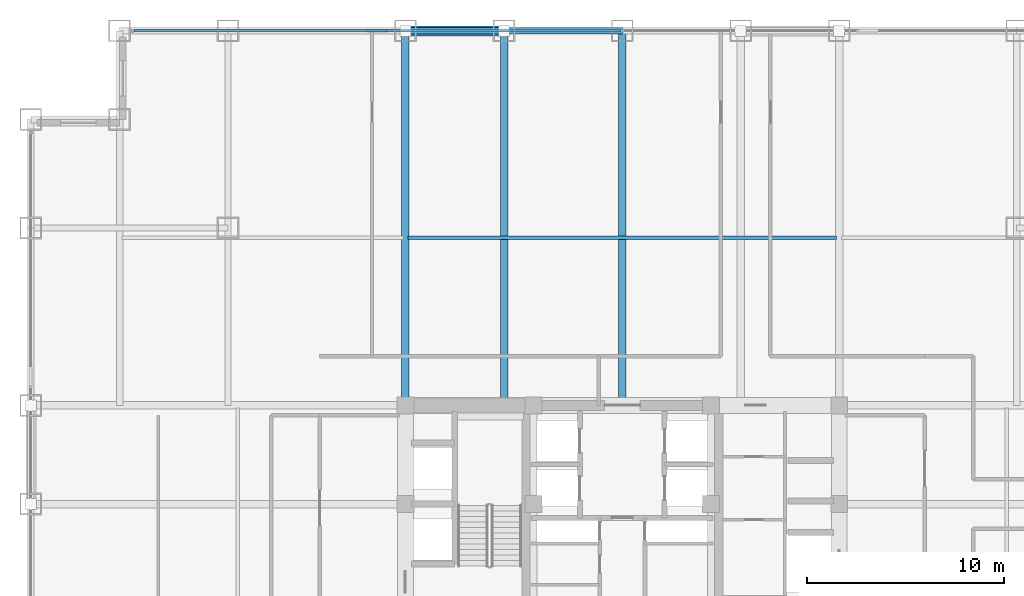
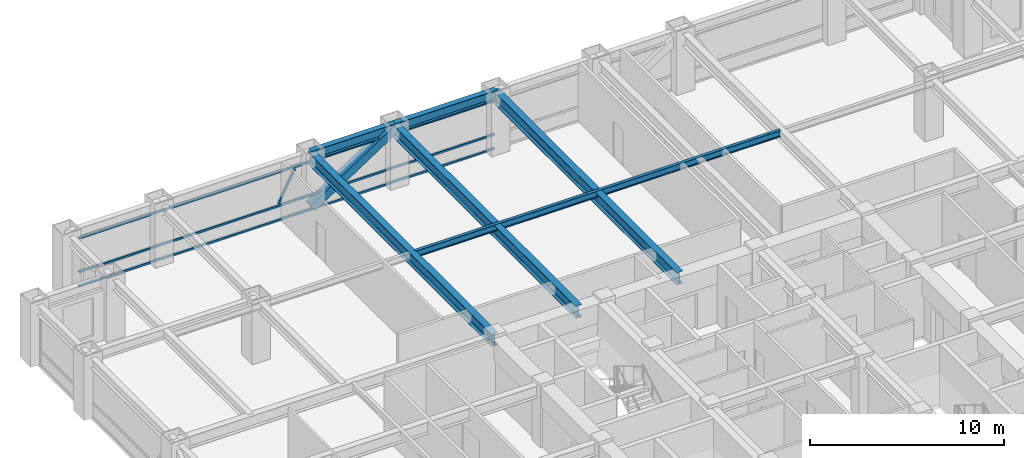
# One storey, part 15 of 24: 6 beams, 5 members, 1 element without a shape of its own.
"""IFC4 building model written with IfcOpenShell, lengths in metres."""

from ifc_helpers import new_model, si_unit, direction, frame, origin, origin_2d, place, context, subcontext, project, spatial, hollow_rectangle, i_section, extrude, source, transform, mapped, material, material_profile, profile_set, type_object, element, aggregate, save


model = new_model("IFC4")

# Units and contexts
model_context = context("Model", 3, precision=1e-05, world=origin(), true_north=direction((0.0, 1.0)))
body_context = subcontext(model_context, "Body", "Model", "MODEL_VIEW")
ifc_project = project(units=[si_unit("LENGTHUNIT", "METRE"), si_unit("AREAUNIT", "SQUARE_METRE"), si_unit("VOLUMEUNIT", "CUBIC_METRE"), si_unit("PLANEANGLEUNIT", "RADIAN"), si_unit("MASSUNIT", "GRAM", prefix="KILO")], contexts=[model_context])

# Site, building, storey
site_placement = place(None, origin())
site = spatial("IfcSite", under=ifc_project, at=site_placement, CompositionType="ELEMENT")
building_placement = place(site_placement, origin())
building = spatial("IfcBuilding", under=site, at=building_placement, Name="Khorayat Bourse Tower", CompositionType="ELEMENT")
storey_placement = place(building_placement, frame((0.0, 0.0, 171.10009765625)))
storey = spatial("IfcBuildingStorey", under=building, at=storey_placement, Name="L39", CompositionType="ELEMENT", Elevation=171.10009765625)

# Beams
ifc_material_1 = material(Name="Steel ASTM A992 Grade 50", Category="steel")
ifc_material_profile_1 = material_profile(ifc_material_1, i_section(OverallWidth=0.381103515625, OverallDepth=0.77294921875, WebThickness=0.0166015625, FlangeThickness=0.027587890625, FilletRadius=0.01806640625, at=origin_2d()), Name="W760X257")
ifc_profile_set_1 = profile_set([ifc_material_profile_1], Name="Steel ASTM A992 Grade 50")
beam_type_1 = type_object("IfcBeamType", Name="BM-GIRD-760", PredefinedType="BEAM", material=ifc_profile_set_1)
shared_shape_1 = source(origin(), body_context, "Body", "SweptSolid", [
    extrude(i_section(OverallWidth=0.381103515625, OverallDepth=0.77294921875, WebThickness=0.0166015625, FlangeThickness=0.027587890625, FilletRadius=0.01806640625, at=origin_2d()), origin(), (0.0, 0.0, 1.0), 19.0),
])
for number, where, z_axis, x_axis, name in (
    (1, (-11.0, 11.0, 3.393310546875), (0.0, 1.0, 0.0), (-1.0, 0.0, 0.0), "L39 BM-GIRD-760 BM-L39-RADY-064"),
    (2, (-6.0, 11.0, 3.393310546875), (0.0, 1.0, 0.0), (-1.0, 0.0, 0.0), "L39 BM-GIRD-760 BM-L39-RADY-066"),
    (3, (0.0, 11.0, 3.393310546875), (0.0, 1.0, 0.0), (-1.0, 0.0, 0.0), "L39 BM-GIRD-760 BM-L39-RADY-068"),
):
    element("IfcBeam", number, at=place(storey_placement, frame(where, z_axis=z_axis, x_axis=x_axis)), inside=storey, type_object=beam_type_1, Name=name, PredefinedType="BEAM", context=body_context, shape_type="MappedRepresentation", body=[
        mapped(shared_shape_1, transform((0.0, 0.0, 0.0), scale=1.0)),
    ])
ifc_material_profile_2 = material_profile(ifc_material_1, i_section(OverallWidth=0.180908203125, OverallDepth=0.4169921875, WebThickness=0.010986328125, FlangeThickness=0.018310546875, FilletRadius=0.011962890625, at=origin_2d()), Name="W410X85")
ifc_profile_set_2 = profile_set([ifc_material_profile_2], Name="Steel ASTM A992 Grade 50")
beam_type_2 = type_object("IfcBeamType", Name="BM-JOIST-410", PredefinedType="JOIST", material=ifc_profile_set_2)
shared_shape_2 = source(origin(), body_context, "Body", "SweptSolid", [
    extrude(i_section(OverallWidth=0.180908203125, OverallDepth=0.4169921875, WebThickness=0.010986328125, FlangeThickness=0.018310546875, FilletRadius=0.011962890625, at=origin_2d()), origin(), (0.0, 0.0, 1.0), 21.740234375),
])
beam_1_placement = place(storey_placement, frame((-10.8701171875, 19.5, 3.5712890625), z_axis=(1.0, 0.0, 0.0), x_axis=(0.0, 1.0, 0.0)))
element("IfcBeam", 4, at=beam_1_placement, inside=storey, type_object=beam_type_2, Name="L39 BM-JOIST-410 BM-L39-JSTX-100", PredefinedType="JOIST", context=body_context, shape_type="MappedRepresentation", body=[
    mapped(shared_shape_2, transform((0.0, 0.0, 0.0), scale=1.0)),
])
ifc_material_profile_3 = material_profile(ifc_material_1, i_section(OverallWidth=0.324951171875, OverallDepth=0.615966796875, WebThickness=0.013916015625, FlangeThickness=0.021484375, FilletRadius=0.01611328125, at=origin_2d()), Name="W610X174")
ifc_profile_set_3 = profile_set([ifc_material_profile_3], Name="Steel ASTM A992 Grade 50")
beam_type_3 = type_object("IfcBeamType", Name="BM-SPAN-610", PredefinedType="SPANDREL", material=ifc_profile_set_3)
shared_shape_3 = source(origin(), body_context, "Body", "SweptSolid", [
    extrude(i_section(OverallWidth=0.324951171875, OverallDepth=0.615966796875, WebThickness=0.013916015625, FlangeThickness=0.021484375, FilletRadius=0.01611328125, at=origin_2d()), origin(), (0.0, 0.0, 1.0), 5.0),
])
beam_2_placement = place(storey_placement, frame((-11.0, 30.0, 3.471923828125), z_axis=(1.0, 0.0, 0.0), x_axis=(0.0, 1.0, 0.0)))
element("IfcBeam", 5, at=beam_2_placement, inside=storey, type_object=beam_type_3, Name="L39 BM-SPAN-610 BM-L39-SPN-049", PredefinedType="SPANDREL", context=body_context, shape_type="MappedRepresentation", body=[
    mapped(shared_shape_3, transform((0.0, 0.0, 0.0), scale=1.0)),
])
shared_shape_4 = source(origin(), body_context, "Body", "SweptSolid", [
    extrude(i_section(OverallWidth=0.324951171875, OverallDepth=0.615966796875, WebThickness=0.013916015625, FlangeThickness=0.021484375, FilletRadius=0.01611328125, at=origin_2d()), origin(), (0.0, 0.0, 1.0), 6.0),
])
beam_3_placement = place(storey_placement, frame((-6.0, 30.0, 3.471923828125), z_axis=(1.0, 0.0, 0.0), x_axis=(0.0, 1.0, 0.0)))
element("IfcBeam", 6, at=beam_3_placement, inside=storey, type_object=beam_type_3, Name="L39 BM-SPAN-610 BM-L39-SPN-048", PredefinedType="SPANDREL", context=body_context, shape_type="MappedRepresentation", body=[
    mapped(shared_shape_4, transform((0.0, 0.0, 0.0), scale=1.0)),
])

# Member
ifc_material_2 = material(Name="Steel EN 10025-4 S460M", Category="steel")
ifc_material_profile_4 = material_profile(ifc_material_2, hollow_rectangle(XDim=0.5, YDim=0.5, WallThickness=0.028076171875, at=origin_2d()), Name="HSS 500x500x28")
ifc_profile_set_4 = profile_set([ifc_material_profile_4], Name="Steel EN 10025-4 S460M")
member_type_1 = type_object("IfcMemberType", Name="MBR-TUBE-500", PredefinedType="BRACE", material=ifc_profile_set_4)
shared_shape_5 = source(origin(), body_context, "Body", "SweptSolid", [
    extrude(hollow_rectangle(XDim=0.5, YDim=0.5, WallThickness=0.028076171875, at=origin_2d()), origin(), (0.0, 0.0, 1.0), 5.979736328125),
])
member_1_placement = place(storey_placement, frame((-11.0, 30.0, 0.25), z_axis=(0.836160261256, 0.0, 0.548485202623), x_axis=(0.0, 1.0, 0.0)))
element("IfcMember", 7, at=member_1_placement, inside=storey, type_object=member_type_1, Name="L39 Perimeter Tube Brace 03", PredefinedType="BRACE", context=body_context, shape_type="MappedRepresentation", body=[
    mapped(shared_shape_5, transform((0.0, 0.0, 0.0), scale=1.0)),
])

# Curtain wall, members
ifc_material_3 = material(Name="Aluminium EN AW-6063 T6", Category="aluminium")
curtain_wall_type = type_object("IfcCurtainWallType", Name="CW-SYS-03", PredefinedType="NOTDEFINED", material=ifc_material_3)
curtain_wall_placement = place(storey_placement, origin())
curtain_wall = element("IfcCurtainWall", 8, at=curtain_wall_placement, inside=storey, type_object=curtain_wall_type, Name="L39 Curtain Wall CW-L39-N1", PredefinedType="NOTDEFINED")
ifc_material_profile_5 = material_profile(ifc_material_3, hollow_rectangle(XDim=0.1201171875, YDim=0.1201171875, WallThickness=0.0048828125, at=origin_2d()), Name="ALU 120x120x5")
ifc_profile_set_5 = profile_set([ifc_material_profile_5], Name="Aluminium EN AW-6063 T6")
member_type_2 = type_object("IfcMemberType", Name="CWM-DIAG-120", PredefinedType="MULLION", material=ifc_profile_set_5)
shared_shape_6 = source(origin(), body_context, "Body", "SweptSolid", [
    extrude(hollow_rectangle(XDim=0.1201171875, YDim=0.1201171875, WallThickness=0.0048828125, at=origin_2d()), origin(), (0.0, 0.0, 1.0), 2.079345703125),
])
member_2_placement = place(storey_placement, frame((-12.904296875, 30.0, 1.08984375), z_axis=(0.465760949701, 0.0, 0.884910581773), x_axis=(0.0, 1.0, 0.0)))
member_2 = element("IfcMember", 9, at=member_2_placement, type_object=member_type_2, Name="CW-L39-N1 Faceted Diagonal Mullion 1", PredefinedType="MULLION", context=body_context, shape_type="MappedRepresentation", body=[
    mapped(shared_shape_6, transform((0.0, 0.0, 0.0), scale=1.0)),
])
ifc_material_profile_6 = material_profile(ifc_material_3, hollow_rectangle(XDim=0.1201171875, YDim=0.1201171875, WallThickness=0.0048828125, at=origin_2d()), Name="ALU 120x120x5")
ifc_profile_set_6 = profile_set([ifc_material_profile_6], Name="Aluminium EN AW-6063 T6")
member_type_3 = type_object("IfcMemberType", Name="CWT-HORZ-120", PredefinedType="USERDEFINED", material=ifc_profile_set_6)
shared_shape_7 = source(origin(), body_context, "Body", "SweptSolid", [
    extrude(hollow_rectangle(XDim=0.1201171875, YDim=0.1201171875, WallThickness=0.0048828125, at=origin_2d()), origin(), (0.0, 0.0, 1.0), 24.719970703125),
])
member_3_placement = place(storey_placement, frame((-24.780029296875, 30.0, 0.059814453125), z_axis=(1.0, 0.0, 0.0), x_axis=(0.0, 1.0, 0.0)))
member_3 = element("IfcMember", 10, at=member_3_placement, type_object=member_type_3, Name="CW-L39-N1 Horizontal Transom 1-1", ObjectType="TRANSOM", PredefinedType="USERDEFINED", context=body_context, shape_type="MappedRepresentation", body=[
    mapped(shared_shape_7, transform((0.0, 0.0, 0.0), scale=1.0)),
])
member_4_placement = place(storey_placement, frame((-24.780029296875, 30.0, 0.949951171875), z_axis=(1.0, 0.0, 0.0), x_axis=(0.0, 1.0, 0.0)))
member_4 = element("IfcMember", 11, at=member_4_placement, type_object=member_type_3, Name="CW-L39-N1 Horizontal Transom 1-2", ObjectType="TRANSOM", PredefinedType="USERDEFINED", context=body_context, shape_type="MappedRepresentation", body=[
    mapped(shared_shape_7, transform((0.0, 0.0, 0.0), scale=1.0)),
])
member_5_placement = place(storey_placement, frame((-24.780029296875, 30.0, 3.06982421875), z_axis=(1.0, 0.0, 0.0), x_axis=(0.0, 1.0, 0.0)))
member_5 = element("IfcMember", 12, at=member_5_placement, type_object=member_type_3, Name="CW-L39-N1 Horizontal Transom 1-3", ObjectType="TRANSOM", PredefinedType="USERDEFINED", context=body_context, shape_type="MappedRepresentation", body=[
    mapped(shared_shape_7, transform((0.0, 0.0, 0.0), scale=1.0)),
])
aggregate(curtain_wall, [member_3, member_4, member_5, member_2])

save(model, "model.ifc")
